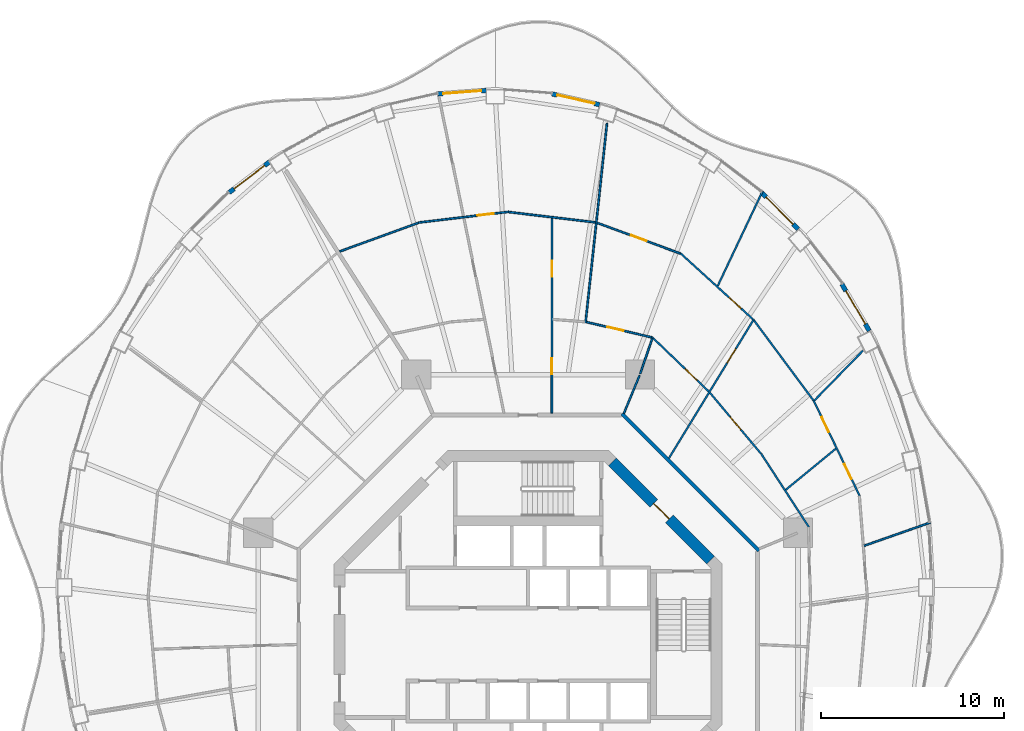
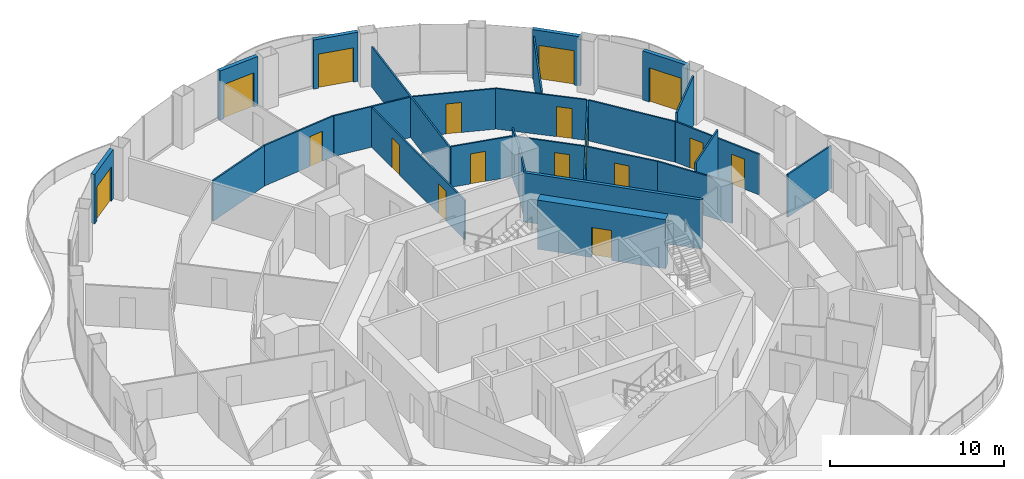
# One storey, part 14 of 18: 27 walls, 17 doors, 17 openings.
"""IFC4 building model written with IfcOpenShell, lengths in metres."""

from ifc_helpers import new_model, si_unit, direction, frame, frame_2d, origin, place, context, subcontext, project, spatial, rectangle, extrude, material, layer, layer_set, type_object, element, fill, save


model = new_model("IFC4")

# Units and contexts
model_context = context("Model", 3, precision=1e-05, world=origin(), true_north=direction((0.0, 1.0)))
body_context = subcontext(model_context, "Body", "Model", "MODEL_VIEW")
ifc_project = project(units=[si_unit("LENGTHUNIT", "METRE"), si_unit("AREAUNIT", "SQUARE_METRE"), si_unit("VOLUMEUNIT", "CUBIC_METRE"), si_unit("PLANEANGLEUNIT", "RADIAN"), si_unit("MASSUNIT", "GRAM", prefix="KILO")], contexts=[model_context])

# Site, building, storey
site_placement = place(None, origin())
site = spatial("IfcSite", under=ifc_project, at=site_placement, CompositionType="ELEMENT")
building_placement = place(site_placement, origin())
building = spatial("IfcBuilding", under=site, at=building_placement, Name="Nagisa Residences", CompositionType="ELEMENT")
storey_placement = place(building_placement, frame((0.0, 0.0, 238.10009765625)))
storey = spatial("IfcBuildingStorey", under=building, at=storey_placement, Name="L60", CompositionType="ELEMENT", Elevation=238.10009765625)

# Walls
ifc_material_1 = material(Name="Gypsum board on steel studs", Category="steel")
ifc_layer_1 = layer(ifc_material_1, 0.199951171875)
ifc_layer_set_1 = layer_set([ifc_layer_1], Name="Apartment entry wall EI60 200")
wall_type_1 = type_object("IfcWallType", Name="Apartment entry wall EI60 200", PredefinedType="PARTITIONING", material=ifc_layer_set_1)
wall_1_placement = place(storey_placement, frame((12.635498046875, 5.1337890625, 0.0), z_axis=(0.0, 0.0, 1.0), x_axis=(-0.707106781187, 0.707106781187, 0.0)))
element("IfcWall", 1, at=wall_1_placement, inside=storey, type_object=wall_type_1, Name="wall:L60:u09", PredefinedType="PARTITIONING", context=body_context, shape_type="SweptSolid", body=[
    extrude(rectangle(XDim=10.609130859375, YDim=0.199951171875, at=frame_2d((5.3046875, 0.0))), origin(), (0.0, 0.0, 1.0), 3.43994140625),
])
ifc_material_2 = material(Name="Gypsum board on steel studs", Category="steel")
ifc_layer_2 = layer(ifc_material_2, 0.10009765625)
ifc_layer_set_2 = layer_set([ifc_layer_2], Name="Apartment partition 100")
wall_type_2 = type_object("IfcWallType", Name="Apartment partition 100", PredefinedType="PARTITIONING", material=ifc_layer_set_2)
wall_2_placement = place(storey_placement, frame((18.4072265625, 5.402099609375, 0.0), z_axis=(0.0, 0.0, 1.0), x_axis=(0.942990333583, 0.332820117735, 0.0)))
element("IfcWall", 2, at=wall_2_placement, inside=storey, type_object=wall_type_2, Name="wall:L60:u21", PredefinedType="PARTITIONING", context=body_context, shape_type="SweptSolid", body=[
    extrude(rectangle(XDim=3.837890625, YDim=0.10009765625, at=frame_2d((1.9189453125, 0.0))), origin(), (0.0, 0.0, 1.0), 2.98291015625),
])
wall_3_placement = place(storey_placement, frame((15.376953125, 6.4287109375, 0.0), z_axis=(0.0, 0.0, 1.0), x_axis=(-0.545188882757, 0.838313236278, 0.0)))
element("IfcWall", 3, at=wall_3_placement, inside=storey, type_object=wall_type_2, Name="wall:L60:u23", PredefinedType="PARTITIONING", context=body_context, shape_type="SweptSolid", body=[
    extrude(rectangle(XDim=4.79248046875, YDim=0.10009765625, at=frame_2d((2.396240234375, 0.0))), origin(), (0.0, 0.0, 1.0), 2.8369140625),
])

# Wall, openings, doors
wall_4_placement = place(storey_placement, frame((18.16015625, 8.133544921875, 0.0), z_axis=(0.0, 0.0, 1.0), x_axis=(-0.434644733493, 0.900601996248, 0.0)))
wall_4 = element("IfcWall", 4, at=wall_4_placement, inside=storey, type_object=wall_type_2, Name="wall:L60:u24", PredefinedType="PARTITIONING", context=body_context, shape_type="SweptSolid", body=[
    extrude(rectangle(XDim=5.82421875, YDim=0.10009765625, at=frame_2d((2.912109375, 0.0))), origin(), (0.0, 0.0, 1.0), 2.8369140625),
])
opening_1_placement = place(wall_4_placement, frame((3.893310546875, 0.0, 0.0)))
opening_1 = element("IfcOpeningElement", 5, at=opening_1_placement, cuts=wall_4, Name="Opening L60-U32", PredefinedType="OPENING", context=body_context, shape_type="SweptSolid", body=[
    extrude(rectangle(XDim=0.89990234375, YDim=2.10009765625, at=frame_2d((0.449951171875, 1.050048828125))), frame((0.0, 0.06005859375, 0.0), z_axis=(0.0, -1.0, 0.0), x_axis=(1.0, 0.0, 0.0)), (0.0, 0.0, 1.0), 0.1201171875),
])
opening_2_placement = place(wall_4_placement, frame((1.031005859375, 0.0, 0.0)))
opening_2 = element("IfcOpeningElement", 6, at=opening_2_placement, cuts=wall_4, Name="Opening L60-U34", PredefinedType="OPENING", context=body_context, shape_type="SweptSolid", body=[
    extrude(rectangle(XDim=0.89990234375, YDim=2.10009765625, at=frame_2d((0.449951171875, 1.050048828125))), frame((0.0, 0.06005859375, 0.0), z_axis=(0.0, -1.0, 0.0), x_axis=(1.0, 0.0, 0.0)), (0.0, 0.0, 1.0), 0.1201171875),
])
ifc_material_3 = material(Name="Timber door set", Category="wood")
door_type_1 = type_object("IfcDoorType", Name="Apartment door 900x2100", OperationType="NOTDEFINED", PredefinedType="DOOR", material=ifc_material_3)
door_1_placement = place(opening_1_placement, frame((0.89990234375, 0.0, 0.0), x_axis=(-1.0, 0.0, 0.0)))
door_1 = element("IfcDoor", 7, at=door_1_placement, inside=storey, type_object=door_type_1, Name="Door to kitchen, Apartment 60C", OperationType="SINGLE_SWING_LEFT", OverallHeight=2.10009765625, OverallWidth=0.89990234375, PredefinedType="DOOR", context=body_context, shape_type="SweptSolid", body=[
    extrude(rectangle(XDim=0.89990234375, YDim=2.10009765625, at=frame_2d((0.449951171875, 1.050048828125))), frame((0.0, 0.02490234375, 0.0), z_axis=(0.0, -1.0, 0.0), x_axis=(1.0, 0.0, 0.0)), (0.0, 0.0, 1.0), 0.050048828125),
])
fill(opening_1, door_1)
door_2_placement = place(opening_2_placement, origin())
door_2 = element("IfcDoor", 8, at=door_2_placement, inside=storey, type_object=door_type_1, Name="Door to dining room, Apartment 60C", OperationType="SINGLE_SWING_RIGHT", OverallHeight=2.10009765625, OverallWidth=0.89990234375, PredefinedType="DOOR", context=body_context, shape_type="SweptSolid", body=[
    extrude(rectangle(XDim=0.89990234375, YDim=2.10009765625, at=frame_2d((0.449951171875, 1.050048828125))), frame((0.0, 0.02490234375, 0.0), z_axis=(0.0, -1.0, 0.0), x_axis=(1.0, 0.0, 0.0)), (0.0, 0.0, 1.0), 0.050048828125),
])
fill(opening_2, door_2)

# Wall
wall_5_placement = place(storey_placement, frame((14.109375, 8.46923828125, 0.0), z_axis=(0.0, 0.0, 1.0), x_axis=(0.772802064515, 0.634647121699, 0.0)))
element("IfcWall", 9, at=wall_5_placement, inside=storey, type_object=wall_type_2, Name="wall:L60:u25", PredefinedType="PARTITIONING", context=body_context, shape_type="SweptSolid", body=[
    extrude(rectangle(XDim=3.5537109375, YDim=0.10009765625, at=frame_2d((1.77685546875, 0.0))), origin(), (0.0, 0.0, 1.0), 3.43994140625),
])

# Wall, opening, door
wall_6_placement = place(storey_placement, frame((12.75927734375, 10.442626953125, 0.0), z_axis=(0.0, 0.0, 1.0), x_axis=(-0.642225196965, 0.766516011825, 0.0)))
wall_6 = element("IfcWall", 10, at=wall_6_placement, inside=storey, type_object=wall_type_2, Name="wall:L60:u26", PredefinedType="PARTITIONING", context=body_context, shape_type="SweptSolid", body=[
    extrude(rectangle(XDim=4.360595703125, YDim=0.10009765625, at=frame_2d((2.18017578125, 0.0))), origin(), (0.0, 0.0, 1.0), 2.8369140625),
])
opening_3_placement = place(wall_6_placement, frame((1.73046875, 0.0, 0.0)))
opening_3 = element("IfcOpeningElement", 11, at=opening_3_placement, cuts=wall_6, Name="Opening L60-U33", PredefinedType="OPENING", context=body_context, shape_type="SweptSolid", body=[
    extrude(rectangle(XDim=0.89990234375, YDim=2.10009765625, at=frame_2d((0.449951171875, 1.050048828125))), frame((0.0, 0.06005859375, 0.0), z_axis=(0.0, -1.0, 0.0), x_axis=(1.0, 0.0, 0.0)), (0.0, 0.0, 1.0), 0.1201171875),
])
door_3_placement = place(opening_3_placement, origin())
door_3 = element("IfcDoor", 12, at=door_3_placement, inside=storey, type_object=door_type_1, Name="Door to laundry, Apartment 60C", OperationType="SINGLE_SWING_LEFT", OverallHeight=2.10009765625, OverallWidth=0.89990234375, PredefinedType="DOOR", context=body_context, shape_type="SweptSolid", body=[
    extrude(rectangle(XDim=0.89990234375, YDim=2.10009765625, at=frame_2d((0.449951171875, 1.050048828125))), frame((0.0, 0.02490234375, 0.0), z_axis=(0.0, -1.0, 0.0), x_axis=(1.0, 0.0, 0.0)), (0.0, 0.0, 1.0), 0.050048828125),
])
fill(opening_3, door_3)

# Walls
wall_7_placement = place(storey_placement, frame((15.685302734375, 13.36962890625, 0.0), z_axis=(0.0, 0.0, 1.0), x_axis=(0.698404210398, 0.715703541208, 0.0)))
element("IfcWall", 13, at=wall_7_placement, inside=storey, type_object=wall_type_2, Name="wall:L60:u27", PredefinedType="PARTITIONING", context=body_context, shape_type="SweptSolid", body=[
    extrude(rectangle(XDim=3.79638671875, YDim=0.10009765625, at=frame_2d((1.898193359375, 0.0))), origin(), (0.0, 0.0, 1.0), 3.43994140625),
])
wall_8_placement = place(storey_placement, frame((15.62060546875, 13.3740234375, 0.0), z_axis=(0.0, 0.0, 1.0), x_axis=(-0.596174489482, 0.8028548923, 0.0)))
element("IfcWall", 14, at=wall_8_placement, inside=storey, type_object=wall_type_2, Name="wall:L60:u28", PredefinedType="PARTITIONING", context=body_context, shape_type="SweptSolid", body=[
    extrude(rectangle(XDim=5.44189453125, YDim=0.10009765625, at=frame_2d((2.720947265625, 0.0))), origin(), (0.0, 0.0, 1.0), 2.8369140625),
])

# Wall, opening, door
wall_9_placement = place(storey_placement, frame((7.7099609375, 10.19677734375, 0.0), z_axis=(0.0, 0.0, 1.0), x_axis=(0.521477621335, 0.853264959111, 0.0)))
wall_9 = element("IfcWall", 15, at=wall_9_placement, inside=storey, type_object=wall_type_2, Name="wall:L60:u29", PredefinedType="PARTITIONING", context=body_context, shape_type="SweptSolid", body=[
    extrude(rectangle(XDim=8.941162109375, YDim=0.10009765625, at=frame_2d((4.470703125, 0.0))), origin(), (0.0, 0.0, 1.0), 2.761962890625),
])
opening_4_placement = place(wall_9_placement, frame((6.120849609375, 0.0, 0.0)))
opening_4 = element("IfcOpeningElement", 16, at=opening_4_placement, cuts=wall_9, Name="Opening L60-U31", PredefinedType="OPENING", context=body_context, shape_type="SweptSolid", body=[
    extrude(rectangle(XDim=0.89990234375, YDim=2.10009765625, at=frame_2d((0.449951171875, 1.050048828125))), frame((0.0, 0.06005859375, 0.0), z_axis=(0.0, -1.0, 0.0), x_axis=(1.0, 0.0, 0.0)), (0.0, 0.0, 1.0), 0.1201171875),
])
door_4_placement = place(opening_4_placement, frame((0.89990234375, 0.0, 0.0), x_axis=(-1.0, 0.0, 0.0)))
door_4 = element("IfcDoor", 17, at=door_4_placement, inside=storey, type_object=door_type_1, Name="Door to study, Apartment 60C", OperationType="SINGLE_SWING_RIGHT", OverallHeight=2.10009765625, OverallWidth=0.89990234375, PredefinedType="DOOR", context=body_context, shape_type="SweptSolid", body=[
    extrude(rectangle(XDim=0.89990234375, YDim=2.10009765625, at=frame_2d((0.449951171875, 1.050048828125))), frame((0.0, 0.02490234375, 0.0), z_axis=(0.0, -1.0, 0.0), x_axis=(1.0, 0.0, 0.0)), (0.0, 0.0, 1.0), 0.050048828125),
])
fill(opening_4, door_4)

wall_10_placement = place(storey_placement, frame((9.890380859375, 13.858154296875, 0.0), z_axis=(0.0, 0.0, 1.0), x_axis=(-0.72167233993, 0.692234811159, 0.0)))
wall_10 = element("IfcWall", 18, at=wall_10_placement, inside=storey, type_object=wall_type_2, Name="wall:L60:u30", PredefinedType="PARTITIONING", context=body_context, shape_type="SweptSolid", body=[
    extrude(rectangle(XDim=4.312744140625, YDim=0.10009765625, at=frame_2d((2.15625, 0.0))), origin(), (0.0, 0.0, 1.0), 2.8369140625),
])
opening_5_placement = place(wall_10_placement, frame((0.882568359375, 0.0, 0.0)))
opening_5 = element("IfcOpeningElement", 19, at=opening_5_placement, cuts=wall_10, Name="Opening L60-U30", PredefinedType="OPENING", context=body_context, shape_type="SweptSolid", body=[
    extrude(rectangle(XDim=0.89990234375, YDim=2.10009765625, at=frame_2d((0.449951171875, 1.050048828125))), frame((0.0, 0.06005859375, 0.0), z_axis=(0.0, -1.0, 0.0), x_axis=(1.0, 0.0, 0.0)), (0.0, 0.0, 1.0), 0.1201171875),
])
door_5_placement = place(opening_5_placement, origin())
door_5 = element("IfcDoor", 20, at=door_5_placement, inside=storey, type_object=door_type_1, Name="Door to store, Apartment 60C", OperationType="SINGLE_SWING_RIGHT", OverallHeight=2.10009765625, OverallWidth=0.89990234375, PredefinedType="DOOR", context=body_context, shape_type="SweptSolid", body=[
    extrude(rectangle(XDim=0.89990234375, YDim=2.10009765625, at=frame_2d((0.449951171875, 1.050048828125))), frame((0.0, 0.02490234375, 0.0), z_axis=(0.0, -1.0, 0.0), x_axis=(1.0, 0.0, 0.0)), (0.0, 0.0, 1.0), 0.050048828125),
])
fill(opening_5, door_5)

wall_11_placement = place(storey_placement, frame((12.3095703125, 17.81689453125, 0.0), z_axis=(0.0, 0.0, 1.0), x_axis=(-0.739697052892, 0.672940019573, 0.0)))
wall_11 = element("IfcWall", 21, at=wall_11_placement, inside=storey, type_object=wall_type_2, Name="wall:L60:u31", PredefinedType="PARTITIONING", context=body_context, shape_type="SweptSolid", body=[
    extrude(rectangle(XDim=5.364990234375, YDim=0.10009765625, at=frame_2d((2.6826171875, 0.0))), origin(), (0.0, 0.0, 1.0), 2.8369140625),
])
opening_6_placement = place(wall_11_placement, frame((0.8662109375, 0.0, 0.0)))
opening_6 = element("IfcOpeningElement", 22, at=opening_6_placement, cuts=wall_11, Name="Opening L60-U26", PredefinedType="OPENING", context=body_context, shape_type="SweptSolid", body=[
    extrude(rectangle(XDim=0.89990234375, YDim=2.10009765625, at=frame_2d((0.449951171875, 1.050048828125))), frame((0.0, 0.06005859375, 0.0), z_axis=(0.0, -1.0, 0.0), x_axis=(1.0, 0.0, 0.0)), (0.0, 0.0, 1.0), 0.1201171875),
])
door_6_placement = place(opening_6_placement, frame((0.89990234375, 0.0, 0.0), x_axis=(-1.0, 0.0, 0.0)))
door_6 = element("IfcDoor", 23, at=door_6_placement, inside=storey, type_object=door_type_1, Name="Door to master bedroom, Apartment 60C", OperationType="SINGLE_SWING_LEFT", OverallHeight=2.10009765625, OverallWidth=0.89990234375, PredefinedType="DOOR", context=body_context, shape_type="SweptSolid", body=[
    extrude(rectangle(XDim=0.89990234375, YDim=2.10009765625, at=frame_2d((0.449951171875, 1.050048828125))), frame((0.0, 0.02490234375, 0.0), z_axis=(0.0, -1.0, 0.0), x_axis=(1.0, 0.0, 0.0)), (0.0, 0.0, 1.0), 0.050048828125),
])
fill(opening_6, door_6)

# Walls
wall_12_placement = place(storey_placement, frame((10.383544921875, 19.633544921875, 0.0), z_axis=(0.0, 0.0, 1.0), x_axis=(0.428003913038, 0.903776880886, 0.0)))
element("IfcWall", 24, at=wall_12_placement, inside=storey, type_object=wall_type_2, Name="wall:L60:u32", PredefinedType="PARTITIONING", context=body_context, shape_type="SweptSolid", body=[
    extrude(rectangle(XDim=5.729248046875, YDim=0.10009765625, at=frame_2d((2.86474609375, 0.0))), origin(), (0.0, 0.0, 1.0), 2.98291015625),
])
wall_13_placement = place(storey_placement, frame((5.24267578125, 12.6572265625, 0.0), z_axis=(0.0, 0.0, 1.0), x_axis=(0.382719158442, 0.923864733477, 0.0)))
element("IfcWall", 25, at=wall_13_placement, inside=storey, type_object=wall_type_2, Name="wall:L60:u33", PredefinedType="PARTITIONING", context=body_context, shape_type="SweptSolid", body=[
    extrude(rectangle(XDim=2.25, YDim=0.10009765625, at=frame_2d((1.125, 0.0))), origin(), (0.0, 0.0, 1.0), 3.43994140625),
])
wall_14_placement = place(storey_placement, frame((6.13916015625, 14.829345703125, 0.0), z_axis=(0.0, 0.0, 1.0), x_axis=(0.32278593828, 0.946471995385, 0.0)))
element("IfcWall", 26, at=wall_14_placement, inside=storey, type_object=wall_type_2, Name="wall:L60:u34", PredefinedType="PARTITIONING", context=body_context, shape_type="SweptSolid", body=[
    extrude(rectangle(XDim=2.04150390625, YDim=0.10009765625, at=frame_2d((1.020751953125, 0.0))), origin(), (0.0, 0.0, 1.0), 3.43994140625),
])

# Wall, opening, door
wall_15_placement = place(storey_placement, frame((6.765625, 16.8203125, 0.0), z_axis=(0.0, 0.0, 1.0), x_axis=(-0.973612608559, 0.22820711745, 0.0)))
wall_15 = element("IfcWall", 27, at=wall_15_placement, inside=storey, type_object=wall_type_2, Name="wall:L60:u35", PredefinedType="PARTITIONING", context=body_context, shape_type="SweptSolid", body=[
    extrude(rectangle(XDim=3.6630859375, YDim=0.10009765625, at=frame_2d((1.83154296875, 0.0))), origin(), (0.0, 0.0, 1.0), 2.8369140625),
])
opening_7_placement = place(wall_15_placement, frame((1.587890625, 0.0, 0.0)))
opening_7 = element("IfcOpeningElement", 28, at=opening_7_placement, cuts=wall_15, Name="Opening L60-U23", PredefinedType="OPENING", context=body_context, shape_type="SweptSolid", body=[
    extrude(rectangle(XDim=0.89990234375, YDim=2.10009765625, at=frame_2d((0.449951171875, 1.050048828125))), frame((0.0, 0.06005859375, 0.0), z_axis=(0.0, -1.0, 0.0), x_axis=(1.0, 0.0, 0.0)), (0.0, 0.0, 1.0), 0.1201171875),
])
door_7_placement = place(opening_7_placement, frame((0.89990234375, 0.0, 0.0), x_axis=(-1.0, 0.0, 0.0)))
door_7 = element("IfcDoor", 29, at=door_7_placement, inside=storey, type_object=door_type_1, Name="Door to kitchen, Apartment 60C", OperationType="SINGLE_SWING_RIGHT", OverallHeight=2.10009765625, OverallWidth=0.89990234375, PredefinedType="DOOR", context=body_context, shape_type="SweptSolid", body=[
    extrude(rectangle(XDim=0.89990234375, YDim=2.10009765625, at=frame_2d((0.449951171875, 1.050048828125))), frame((0.0, 0.02490234375, 0.0), z_axis=(0.0, -1.0, 0.0), x_axis=(1.0, 0.0, 0.0)), (0.0, 0.0, 1.0), 0.050048828125),
])
fill(opening_7, door_7)

wall_16_placement = place(storey_placement, frame((8.3310546875, 21.410888671875, 0.0), z_axis=(0.0, 0.0, 1.0), x_axis=(-0.937891982431, 0.346927412136, 0.0)))
wall_16 = element("IfcWall", 30, at=wall_16_placement, inside=storey, type_object=wall_type_2, Name="wall:L60:u36", PredefinedType="PARTITIONING", context=body_context, shape_type="SweptSolid", body=[
    extrude(rectangle(XDim=4.85009765625, YDim=0.10009765625, at=frame_2d((2.425048828125, 0.0))), origin(), (0.0, 0.0, 1.0), 2.8369140625),
])
opening_8_placement = place(wall_16_placement, frame((1.97509765625, 0.0, 0.0)))
opening_8 = element("IfcOpeningElement", 31, at=opening_8_placement, cuts=wall_16, Name="Opening L60-U27", PredefinedType="OPENING", context=body_context, shape_type="SweptSolid", body=[
    extrude(rectangle(XDim=0.89990234375, YDim=2.10009765625, at=frame_2d((0.449951171875, 1.050048828125))), frame((0.0, 0.06005859375, 0.0), z_axis=(0.0, -1.0, 0.0), x_axis=(1.0, 0.0, 0.0)), (0.0, 0.0, 1.0), 0.1201171875),
])
door_8_placement = place(opening_8_placement, frame((0.89990234375, 0.0, 0.0), x_axis=(-1.0, 0.0, 0.0)))
door_8 = element("IfcDoor", 32, at=door_8_placement, inside=storey, type_object=door_type_1, Name="Door to dining room, Apartment 60C", OperationType="SINGLE_SWING_RIGHT", OverallHeight=2.10009765625, OverallWidth=0.89990234375, PredefinedType="DOOR", context=body_context, shape_type="SweptSolid", body=[
    extrude(rectangle(XDim=0.89990234375, YDim=2.10009765625, at=frame_2d((0.449951171875, 1.050048828125))), frame((0.0, 0.02490234375, 0.0), z_axis=(0.0, -1.0, 0.0), x_axis=(1.0, 0.0, 0.0)), (0.0, 0.0, 1.0), 0.050048828125),
])
fill(opening_8, door_8)

# Walls
wall_17_placement = place(storey_placement, frame((3.145263671875, 17.617919921875, 0.0), z_axis=(0.0, 0.0, 1.0), x_axis=(0.106818720076, 0.994278512813, 0.0)))
element("IfcWall", 33, at=wall_17_placement, inside=storey, type_object=wall_type_2, Name="wall:L60:u37", PredefinedType="PARTITIONING", context=body_context, shape_type="SweptSolid", body=[
    extrude(rectangle(XDim=10.986572265625, YDim=0.10009765625, at=frame_2d((5.4931640625, 0.0))), origin(), (0.0, 0.0, 1.0), 2.8369140625),
])
wall_18_placement = place(storey_placement, frame((3.685791015625, 23.11669921875, 0.0), z_axis=(0.0, 0.0, 1.0), x_axis=(-0.992965872314, 0.11840091393, 0.0)))
element("IfcWall", 34, at=wall_18_placement, inside=storey, type_object=wall_type_2, Name="wall:L60:u39", PredefinedType="PARTITIONING", context=body_context, shape_type="SweptSolid", body=[
    extrude(rectangle(XDim=4.785888671875, YDim=0.10009765625, at=frame_2d((2.39306640625, 0.0))), origin(), (0.0, 0.0, 1.0), 2.8369140625),
])

# Wall, openings, doors
wall_19_placement = place(storey_placement, frame((1.30126953125, 12.664794921875, 0.0), z_axis=(0.0, 0.0, 1.0), x_axis=(0.000776840765, 0.999999698259, 0.0)))
wall_19 = element("IfcWall", 35, at=wall_19_placement, inside=storey, type_object=wall_type_2, Name="wall:L60:u40", PredefinedType="PARTITIONING", context=body_context, shape_type="SweptSolid", body=[
    extrude(rectangle(XDim=10.685302734375, YDim=0.10009765625, at=frame_2d((5.3427734375, 0.0))), origin(), (0.0, 0.0, 1.0), 2.761962890625),
])
opening_9_placement = place(wall_19_placement, frame((2.121337890625, 0.0, 0.0)))
opening_9 = element("IfcOpeningElement", 36, at=opening_9_placement, cuts=wall_19, Name="Opening L60-U21", PredefinedType="OPENING", context=body_context, shape_type="SweptSolid", body=[
    extrude(rectangle(XDim=0.89990234375, YDim=2.10009765625, at=frame_2d((0.449951171875, 1.050048828125))), frame((0.0, 0.06005859375, 0.0), z_axis=(0.0, -1.0, 0.0), x_axis=(1.0, 0.0, 0.0)), (0.0, 0.0, 1.0), 0.1201171875),
])
opening_10_placement = place(wall_19_placement, frame((7.464111328125, 0.0, 0.0)))
opening_10 = element("IfcOpeningElement", 37, at=opening_10_placement, cuts=wall_19, Name="Opening L60-U24", PredefinedType="OPENING", context=body_context, shape_type="SweptSolid", body=[
    extrude(rectangle(XDim=0.89990234375, YDim=2.10009765625, at=frame_2d((0.449951171875, 1.050048828125))), frame((0.0, 0.06005859375, 0.0), z_axis=(0.0, -1.0, 0.0), x_axis=(1.0, 0.0, 0.0)), (0.0, 0.0, 1.0), 0.1201171875),
])
door_9_placement = place(opening_9_placement, frame((0.89990234375, 0.0, 0.0), x_axis=(-1.0, 0.0, 0.0)))
door_9 = element("IfcDoor", 38, at=door_9_placement, inside=storey, type_object=door_type_1, Name="Door to store, Apartment 60C", OperationType="SINGLE_SWING_RIGHT", OverallHeight=2.10009765625, OverallWidth=0.89990234375, PredefinedType="DOOR", context=body_context, shape_type="SweptSolid", body=[
    extrude(rectangle(XDim=0.89990234375, YDim=2.10009765625, at=frame_2d((0.449951171875, 1.050048828125))), frame((0.0, 0.02490234375, 0.0), z_axis=(0.0, -1.0, 0.0), x_axis=(1.0, 0.0, 0.0)), (0.0, 0.0, 1.0), 0.050048828125),
])
fill(opening_9, door_9)
door_10_placement = place(opening_10_placement, frame((0.89990234375, 0.0, 0.0), x_axis=(-1.0, 0.0, 0.0)))
door_10 = element("IfcDoor", 39, at=door_10_placement, inside=storey, type_object=door_type_1, Name="Door to family bathroom, Apartment 60C", OperationType="SINGLE_SWING_LEFT", OverallHeight=2.10009765625, OverallWidth=0.89990234375, PredefinedType="DOOR", context=body_context, shape_type="SweptSolid", body=[
    extrude(rectangle(XDim=0.89990234375, YDim=2.10009765625, at=frame_2d((0.449951171875, 1.050048828125))), frame((0.0, 0.02490234375, 0.0), z_axis=(0.0, -1.0, 0.0), x_axis=(1.0, 0.0, 0.0)), (0.0, 0.0, 1.0), 0.050048828125),
])
fill(opening_10, door_10)

# Wall, opening, door
wall_20_placement = place(storey_placement, frame((-1.06640625, 23.6953125, 0.0), z_axis=(0.0, 0.0, 1.0), x_axis=(-0.992959092097, -0.118457762183, 0.0)))
wall_20 = element("IfcWall", 40, at=wall_20_placement, inside=storey, type_object=wall_type_2, Name="wall:L60:u41", PredefinedType="PARTITIONING", context=body_context, shape_type="SweptSolid", body=[
    extrude(rectangle(XDim=4.985595703125, YDim=0.10009765625, at=frame_2d((2.49267578125, 0.0))), origin(), (0.0, 0.0, 1.0), 2.8369140625),
])
opening_11_placement = place(wall_20_placement, frame((0.8212890625, 0.0, 0.0)))
opening_11 = element("IfcOpeningElement", 41, at=opening_11_placement, cuts=wall_20, Name="Opening L60-U28", PredefinedType="OPENING", context=body_context, shape_type="SweptSolid", body=[
    extrude(rectangle(XDim=0.89990234375, YDim=2.10009765625, at=frame_2d((0.449951171875, 1.050048828125))), frame((0.0, 0.06005859375, 0.0), z_axis=(0.0, -1.0, 0.0), x_axis=(1.0, 0.0, 0.0)), (0.0, 0.0, 1.0), 0.1201171875),
])
door_11_placement = place(opening_11_placement, frame((0.89990234375, 0.0, 0.0), x_axis=(-1.0, 0.0, 0.0)))
door_11 = element("IfcDoor", 42, at=door_11_placement, inside=storey, type_object=door_type_1, Name="Door to living room, Apartment 60C", OperationType="SINGLE_SWING_LEFT", OverallHeight=2.10009765625, OverallWidth=0.89990234375, PredefinedType="DOOR", context=body_context, shape_type="SweptSolid", body=[
    extrude(rectangle(XDim=0.89990234375, YDim=2.10009765625, at=frame_2d((0.449951171875, 1.050048828125))), frame((0.0, 0.02490234375, 0.0), z_axis=(0.0, -1.0, 0.0), x_axis=(1.0, 0.0, 0.0)), (0.0, 0.0, 1.0), 0.050048828125),
])
fill(opening_11, door_11)

# Wall
wall_21_placement = place(storey_placement, frame((-6.01416015625, 23.093505859375, 0.0), z_axis=(0.0, 0.0, 1.0), x_axis=(-0.939433575811, -0.342731026665, 0.0)))
element("IfcWall", 43, at=wall_21_placement, inside=storey, type_object=wall_type_2, Name="wall:L60:u45", PredefinedType="PARTITIONING", context=body_context, shape_type="SweptSolid", body=[
    extrude(rectangle(XDim=4.58251953125, YDim=0.10009765625, at=frame_2d((2.291259765625, 0.0))), origin(), (0.0, 0.0, 1.0), 2.8369140625),
])

# Wall, opening, door
ifc_material_4 = material(Name="Precast concrete C40/50", Category="concrete")
ifc_layer_3 = layer(ifc_material_4, 0.25)
ifc_layer_set_3 = layer_set([ifc_layer_3], Name="BALCONY DOOR WALL 250")
wall_type_3 = type_object("IfcWallType", Name="BALCONY DOOR WALL 250", PredefinedType="SOLIDWALL", material=ifc_layer_set_3)
wall_22_placement = place(storey_placement, frame((17.188232421875, 19.728271484375, 0.0), z_axis=(0.0, 0.0, 1.0), x_axis=(0.506391620556, -0.862303616269, 0.0)))
wall_22 = element("IfcWall", 44, at=wall_22_placement, inside=storey, type_object=wall_type_3, Name="wall:L60:bay04", PredefinedType="SOLIDWALL", context=body_context, shape_type="SweptSolid", body=[
    extrude(rectangle(XDim=2.954345703125, YDim=0.25, at=frame_2d((1.47705078125, 0.0))), origin(), (0.0, 0.0, 1.0), 3.43994140625),
])
opening_12_placement = place(wall_22_placement, frame((0.42724609375, 0.0, 0.0)))
opening_12 = element("IfcOpeningElement", 45, at=opening_12_placement, cuts=wall_22, Name="Opening BD-L60-02", PredefinedType="OPENING", context=body_context, shape_type="SweptSolid", body=[
    extrude(rectangle(XDim=2.10009765625, YDim=2.39990234375, at=frame_2d((1.050048828125, 1.199951171875))), frame((0.0, 0.135009765625, 0.0), z_axis=(0.0, -1.0, 0.0), x_axis=(1.0, 0.0, 0.0)), (0.0, 0.0, 1.0), 0.27001953125),
])
ifc_material_5 = material(Name="Aluminium and clear glass", Category="aluminium")
door_type_2 = type_object("IfcDoorType", Name="BALCONY SLIDING DOOR 2100x2400", OperationType="SLIDING_TO_LEFT", PredefinedType="DOOR", material=ifc_material_5)
door_12_placement = place(opening_12_placement, origin())
door_12 = element("IfcDoor", 46, at=door_12_placement, inside=storey, type_object=door_type_2, Name="door:L60:bay04", OperationType="SLIDING_TO_LEFT", OverallHeight=2.39990234375, OverallWidth=2.10009765625, PredefinedType="DOOR", context=body_context, shape_type="SweptSolid", body=[
    extrude(rectangle(XDim=2.10009765625, YDim=2.39990234375, at=frame_2d((1.050048828125, 1.199951171875))), frame((0.0, 0.02490234375, 0.0), z_axis=(0.0, -1.0, 0.0), x_axis=(1.0, 0.0, 0.0)), (0.0, 0.0, 1.0), 0.050048828125),
])
fill(opening_12, door_12)

wall_23_placement = place(storey_placement, frame((12.7646484375, 24.75927734375, 0.0), z_axis=(0.0, 0.0, 1.0), x_axis=(0.707793125551, -0.706419769983, 0.0)))
wall_23 = element("IfcWall", 47, at=wall_23_placement, inside=storey, type_object=wall_type_3, Name="wall:L60:bay06", PredefinedType="SOLIDWALL", context=body_context, shape_type="SweptSolid", body=[
    extrude(rectangle(XDim=2.84423828125, YDim=0.25, at=frame_2d((1.422119140625, 0.0))), origin(), (0.0, 0.0, 1.0), 3.43994140625),
])
opening_13_placement = place(wall_23_placement, frame((0.3720703125, 0.0, 0.0)))
opening_13 = element("IfcOpeningElement", 48, at=opening_13_placement, cuts=wall_23, Name="Opening BD-L60-03", PredefinedType="OPENING", context=body_context, shape_type="SweptSolid", body=[
    extrude(rectangle(XDim=2.10009765625, YDim=2.39990234375, at=frame_2d((1.050048828125, 1.199951171875))), frame((0.0, 0.135009765625, 0.0), z_axis=(0.0, -1.0, 0.0), x_axis=(1.0, 0.0, 0.0)), (0.0, 0.0, 1.0), 0.27001953125),
])
door_13_placement = place(opening_13_placement, origin())
door_13 = element("IfcDoor", 49, at=door_13_placement, inside=storey, type_object=door_type_2, Name="door:L60:bay06", OperationType="SLIDING_TO_LEFT", OverallHeight=2.39990234375, OverallWidth=2.10009765625, PredefinedType="DOOR", context=body_context, shape_type="SweptSolid", body=[
    extrude(rectangle(XDim=2.10009765625, YDim=2.39990234375, at=frame_2d((1.050048828125, 1.199951171875))), frame((0.0, 0.02490234375, 0.0), z_axis=(0.0, -1.0, 0.0), x_axis=(1.0, 0.0, 0.0)), (0.0, 0.0, 1.0), 0.050048828125),
])
fill(opening_13, door_13)

wall_24_placement = place(storey_placement, frame((1.314208984375, 30.1513671875, 0.0), z_axis=(0.0, 0.0, 1.0), x_axis=(0.975324089124, -0.220777990694, 0.0)))
wall_24 = element("IfcWall", 50, at=wall_24_placement, inside=storey, type_object=wall_type_3, Name="wall:L60:bay10", PredefinedType="SOLIDWALL", context=body_context, shape_type="SweptSolid", body=[
    extrude(rectangle(XDim=2.666015625, YDim=0.25, at=frame_2d((1.3330078125, 0.0))), origin(), (0.0, 0.0, 1.0), 3.43994140625),
])
opening_14_placement = place(wall_24_placement, frame((0.282958984375, 0.0, 0.0)))
opening_14 = element("IfcOpeningElement", 51, at=opening_14_placement, cuts=wall_24, Name="Opening BD-L60-04", PredefinedType="OPENING", context=body_context, shape_type="SweptSolid", body=[
    extrude(rectangle(XDim=2.10009765625, YDim=2.39990234375, at=frame_2d((1.050048828125, 1.199951171875))), frame((0.0, 0.135009765625, 0.0), z_axis=(0.0, -1.0, 0.0), x_axis=(1.0, 0.0, 0.0)), (0.0, 0.0, 1.0), 0.27001953125),
])
door_14_placement = place(opening_14_placement, origin())
door_14 = element("IfcDoor", 52, at=door_14_placement, inside=storey, type_object=door_type_2, Name="door:L60:bay10", OperationType="SLIDING_TO_LEFT", OverallHeight=2.39990234375, OverallWidth=2.10009765625, PredefinedType="DOOR", context=body_context, shape_type="SweptSolid", body=[
    extrude(rectangle(XDim=2.10009765625, YDim=2.39990234375, at=frame_2d((1.050048828125, 1.199951171875))), frame((0.0, 0.02490234375, 0.0), z_axis=(0.0, -1.0, 0.0), x_axis=(1.0, 0.0, 0.0)), (0.0, 0.0, 1.0), 0.050048828125),
])
fill(opening_14, door_14)

wall_25_placement = place(storey_placement, frame((-4.932373046875, 30.148681640625, 0.0), z_axis=(0.0, 0.0, 1.0), x_axis=(0.997226380387, 0.07442812815, 0.0)))
wall_25 = element("IfcWall", 53, at=wall_25_placement, inside=storey, type_object=wall_type_3, Name="wall:L60:bay12", PredefinedType="SOLIDWALL", context=body_context, shape_type="SweptSolid", body=[
    extrude(rectangle(XDim=2.650390625, YDim=0.25, at=frame_2d((1.3251953125, 0.0))), origin(), (0.0, 0.0, 1.0), 3.43994140625),
])
opening_15_placement = place(wall_25_placement, frame((0.275146484375, 0.0, 0.0)))
opening_15 = element("IfcOpeningElement", 54, at=opening_15_placement, cuts=wall_25, Name="Opening BD-L60-05", PredefinedType="OPENING", context=body_context, shape_type="SweptSolid", body=[
    extrude(rectangle(XDim=2.10009765625, YDim=2.39990234375, at=frame_2d((1.050048828125, 1.199951171875))), frame((0.0, 0.135009765625, 0.0), z_axis=(0.0, -1.0, 0.0), x_axis=(1.0, 0.0, 0.0)), (0.0, 0.0, 1.0), 0.27001953125),
])
door_15_placement = place(opening_15_placement, origin())
door_15 = element("IfcDoor", 55, at=door_15_placement, inside=storey, type_object=door_type_2, Name="door:L60:bay12", OperationType="SLIDING_TO_LEFT", OverallHeight=2.39990234375, OverallWidth=2.10009765625, PredefinedType="DOOR", context=body_context, shape_type="SweptSolid", body=[
    extrude(rectangle(XDim=2.10009765625, YDim=2.39990234375, at=frame_2d((1.050048828125, 1.199951171875))), frame((0.0, 0.02490234375, 0.0), z_axis=(0.0, -1.0, 0.0), x_axis=(1.0, 0.0, 0.0)), (0.0, 0.0, 1.0), 0.050048828125),
])
fill(opening_15, door_15)

wall_26_placement = place(storey_placement, frame((-16.377197265625, 24.748046875, 0.0), z_axis=(0.0, 0.0, 1.0), x_axis=(0.795990084031, 0.60530966135, 0.0)))
wall_26 = element("IfcWall", 56, at=wall_26_placement, inside=storey, type_object=wall_type_3, Name="wall:L60:bay16", PredefinedType="SOLIDWALL", context=body_context, shape_type="SweptSolid", body=[
    extrude(rectangle(XDim=2.78857421875, YDim=0.25, at=frame_2d((1.394287109375, 0.0))), origin(), (0.0, 0.0, 1.0), 3.43994140625),
])
opening_16_placement = place(wall_26_placement, frame((0.34423828125, 0.0, 0.0)))
opening_16 = element("IfcOpeningElement", 57, at=opening_16_placement, cuts=wall_26, Name="Opening BD-L60-06", PredefinedType="OPENING", context=body_context, shape_type="SweptSolid", body=[
    extrude(rectangle(XDim=2.10009765625, YDim=2.39990234375, at=frame_2d((1.050048828125, 1.199951171875))), frame((0.0, 0.135009765625, 0.0), z_axis=(0.0, -1.0, 0.0), x_axis=(1.0, 0.0, 0.0)), (0.0, 0.0, 1.0), 0.27001953125),
])
door_16_placement = place(opening_16_placement, origin())
door_16 = element("IfcDoor", 58, at=door_16_placement, inside=storey, type_object=door_type_2, Name="door:L60:bay16", OperationType="SLIDING_TO_LEFT", OverallHeight=2.39990234375, OverallWidth=2.10009765625, PredefinedType="DOOR", context=body_context, shape_type="SweptSolid", body=[
    extrude(rectangle(XDim=2.10009765625, YDim=2.39990234375, at=frame_2d((1.050048828125, 1.199951171875))), frame((0.0, 0.02490234375, 0.0), z_axis=(0.0, -1.0, 0.0), x_axis=(1.0, 0.0, 0.0)), (0.0, 0.0, 1.0), 0.050048828125),
])
fill(opening_16, door_16)

ifc_material_6 = material(Name="Concrete C60", Category="concrete")
ifc_layer_4 = layer(ifc_material_6, 0.60009765625)
ifc_layer_set_4 = layer_set([ifc_layer_4], Name="Core shear wall 600")
wall_type_4 = type_object("IfcWallType", Name="Core shear wall 600", PredefinedType="SHEAR", material=ifc_layer_set_4)
wall_27_placement = place(storey_placement, frame((9.98828125, 4.613037109375, 0.0), z_axis=(0.0, 0.0, 1.0), x_axis=(-0.707106781187, 0.707106781187, 0.0)))
wall_27 = element("IfcWall", 59, at=wall_27_placement, inside=storey, type_object=wall_type_4, Name="wall:L60:core:flat1", PredefinedType="SHEAR", context=body_context, shape_type="SweptSolid", body=[
    extrude(rectangle(XDim=7.601806640625, YDim=0.60009765625, at=frame_2d((3.80078125, 0.0))), origin(), (0.0, 0.0, 1.0), 3.43994140625),
])
opening_17_placement = place(wall_27_placement, frame((3.200927734375, 0.0, 0.0)))
opening_17 = element("IfcOpeningElement", 60, at=opening_17_placement, cuts=wall_27, Name="Opening L60-C17", PredefinedType="OPENING", context=body_context, shape_type="SweptSolid", body=[
    extrude(rectangle(XDim=1.199951171875, YDim=2.10009765625, at=frame_2d((0.60009765625, 1.050048828125))), frame((0.0, 0.31005859375, 0.0), z_axis=(0.0, -1.0, 0.0), x_axis=(1.0, 0.0, 0.0)), (0.0, 0.0, 1.0), 0.6201171875),
])
ifc_material_7 = material(Name="Steel fire door", Category="steel")
door_type_3 = type_object("IfcDoorType", Name="Fire door EI60 1200x2100 single swing", OperationType="NOTDEFINED", PredefinedType="DOOR", material=ifc_material_7)
door_17_placement = place(opening_17_placement, origin())
door_17 = element("IfcDoor", 61, at=door_17_placement, inside=storey, type_object=door_type_3, Name="Firefighting lobby 1 door L60", OperationType="SINGLE_SWING_LEFT", OverallHeight=2.10009765625, OverallWidth=1.199951171875, PredefinedType="DOOR", context=body_context, shape_type="SweptSolid", body=[
    extrude(rectangle(XDim=1.199951171875, YDim=2.10009765625, at=frame_2d((0.60009765625, 1.050048828125))), frame((0.0, 0.02490234375, 0.0), z_axis=(0.0, -1.0, 0.0), x_axis=(1.0, 0.0, 0.0)), (0.0, 0.0, 1.0), 0.050048828125),
])
fill(opening_17, door_17)

save(model, "model.ifc")
